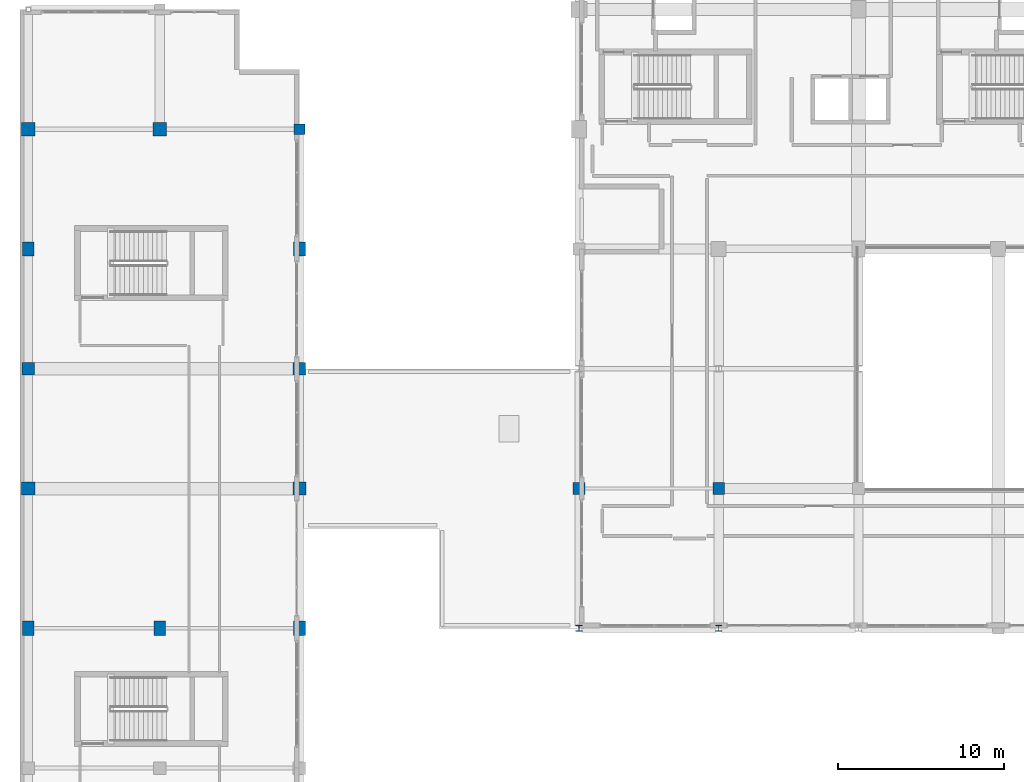
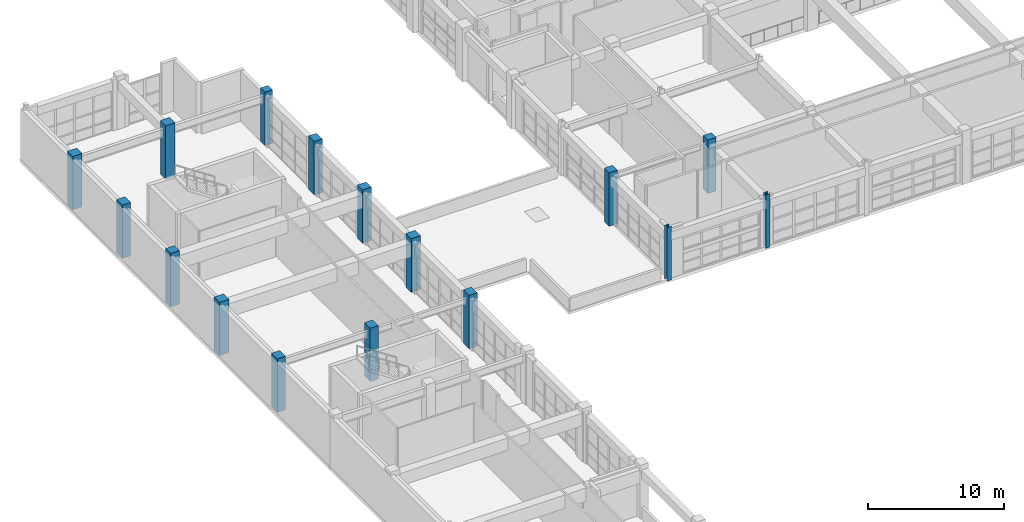
# One storey, part 6 of 123: 16 columns.
"""IFC4 building model written with IfcOpenShell, lengths in metres."""

from ifc_helpers import new_model, si_unit, direction, frame, origin, origin_2d, place, context, subcontext, project, spatial, rectangle, i_section, extrude, material, material_profile, profile_set, type_object, element, save


model = new_model("IFC4")

# Units and contexts
model_context = context("Model", 3, precision=1e-05, world=origin(), true_north=direction((0.0, 1.0)))
body_context = subcontext(model_context, "Body", "Model", "MODEL_VIEW")
ifc_project = project(units=[si_unit("LENGTHUNIT", "METRE"), si_unit("AREAUNIT", "SQUARE_METRE"), si_unit("VOLUMEUNIT", "CUBIC_METRE"), si_unit("PLANEANGLEUNIT", "RADIAN"), si_unit("MASSUNIT", "GRAM", prefix="KILO")], contexts=[model_context])

# Site, building, storey
site_placement = place(None, origin())
site = spatial("IfcSite", under=ifc_project, at=site_placement, CompositionType="ELEMENT")
building_placement = place(site_placement, origin())
building = spatial("IfcBuilding", under=site, at=building_placement, Name="Quendrovan Civic Courthouse", CompositionType="ELEMENT")
storey_placement = place(building_placement, frame((0.0, 0.0, 5.39990234375)))
storey = spatial("IfcBuildingStorey", under=building, at=storey_placement, Name="L02", CompositionType="ELEMENT", Elevation=5.39990234375)

# Columns
ifc_material_1 = material(Name="Concrete C40/50", Category="concrete")
ifc_material_profile_1 = material_profile(ifc_material_1, rectangle(XDim=0.699951171875, YDim=0.85009765625, at=origin_2d()), Name="RC-COL-700x850")
ifc_profile_set_1 = profile_set([ifc_material_profile_1], Name="Concrete C40/50")
column_type_1 = type_object("IfcColumnType", Name="COL-RC-700x850", PredefinedType="COLUMN", material=ifc_profile_set_1)
for number, where, z_axis, x_axis, name in (
    (1, (0.5, 64.800048828125, 0.0), (0.0, 0.0, 1.0), (1.0, 0.0, 0.0), "L02 Column 1-J"),
    (2, (0.5, 87.60009765625, 0.0), (0.0, 0.0, 1.0), (1.0, 0.0, 0.0), "L02 Column 1-M"),
    (3, (8.39990234375, 64.800048828125, 0.0), (0.0, 0.0, 1.0), (1.0, 0.0, 0.0), "L02 Column 2-J"),
    (4, (16.800048828125, 64.800048828125, 0.0), (0.0, 0.0, 1.0), (1.0, 0.0, 0.0), "L02 Column 3-J"),
    (5, (16.800048828125, 87.60009765625, 0.0), (0.0, 0.0, 1.0), (1.0, 0.0, 0.0), "L02 Column 3-M"),
):
    element("IfcColumn", number, at=place(storey_placement, frame(where, z_axis=z_axis, x_axis=x_axis)), inside=storey, type_object=column_type_1, Name=name, PredefinedType="COLUMN", context=body_context, shape_type="SweptSolid", body=[
        extrude(rectangle(XDim=0.699951171875, YDim=0.85009765625, at=origin_2d()), origin(), (0.0, 0.0, 1.0), 4.800048828125),
    ])
ifc_material_2 = material(Name="Concrete C45/55", Category="concrete")
ifc_material_profile_2 = material_profile(ifc_material_2, rectangle(XDim=0.64990234375, YDim=0.64990234375, at=origin_2d()), Name="RC-COL-650x650")
ifc_profile_set_2 = profile_set([ifc_material_profile_2], Name="Concrete C45/55")
column_type_2 = type_object("IfcColumnType", Name="COL-RC650", PredefinedType="COLUMN", material=ifc_profile_set_2)
column_placement = place(storey_placement, frame((16.800048828125, 94.800048828125, 0.0), z_axis=(0.0, 0.0, 1.0), x_axis=(1.0, 0.0, 0.0)))
element("IfcColumn", 6, at=column_placement, inside=storey, type_object=column_type_2, Name="L02 Column 3-N", PredefinedType="COLUMN", context=body_context, shape_type="SweptSolid", body=[
    extrude(rectangle(XDim=0.64990234375, YDim=0.64990234375, at=origin_2d()), origin(), (0.0, 0.0, 1.0), 4.800048828125),
])
ifc_material_profile_3 = material_profile(ifc_material_2, rectangle(XDim=0.699951171875, YDim=0.699951171875, at=origin_2d()), Name="RC-COL-700x700")
ifc_profile_set_3 = profile_set([ifc_material_profile_3], Name="Concrete C45/55")
column_type_3 = type_object("IfcColumnType", Name="COL-RC700", PredefinedType="COLUMN", material=ifc_profile_set_3)
for number, where, z_axis, x_axis, name in (
    (7, (33.60009765625, 73.199951171875, 0.0), (0.0, 0.0, 1.0), (1.0, 0.0, 0.0), "L02 Column 5-K"),
    (8, (42.0, 73.199951171875, 0.0), (0.0, 0.0, 1.0), (1.0, 0.0, 0.0), "L02 Column 6-K"),
):
    element("IfcColumn", number, at=place(storey_placement, frame(where, z_axis=z_axis, x_axis=x_axis)), inside=storey, type_object=column_type_3, Name=name, PredefinedType="COLUMN", context=body_context, shape_type="SweptSolid", body=[
        extrude(rectangle(XDim=0.699951171875, YDim=0.699951171875, at=origin_2d()), origin(), (0.0, 0.0, 1.0), 4.800048828125),
    ])
ifc_material_profile_4 = material_profile(ifc_material_2, rectangle(XDim=0.75, YDim=0.75, at=origin_2d()), Name="RC-COL-750x750")
ifc_profile_set_4 = profile_set([ifc_material_profile_4], Name="Concrete C45/55")
column_type_4 = type_object("IfcColumnType", Name="COL-RC750", PredefinedType="COLUMN", material=ifc_profile_set_4)
for number, where, z_axis, x_axis, name in (
    (9, (0.5, 80.39990234375, 0.0), (0.0, 0.0, 1.0), (1.0, 0.0, 0.0), "L02 Column 1-L"),
    (10, (16.800048828125, 80.39990234375, 0.0), (0.0, 0.0, 1.0), (1.0, 0.0, 0.0), "L02 Column 3-L"),
):
    element("IfcColumn", number, at=place(storey_placement, frame(where, z_axis=z_axis, x_axis=x_axis)), inside=storey, type_object=column_type_4, Name=name, PredefinedType="COLUMN", context=body_context, shape_type="SweptSolid", body=[
        extrude(rectangle(XDim=0.75, YDim=0.75, at=origin_2d()), origin(), (0.0, 0.0, 1.0), 4.800048828125),
    ])
ifc_material_profile_5 = material_profile(ifc_material_2, rectangle(XDim=0.800048828125, YDim=0.800048828125, at=origin_2d()), Name="RC-COL-800x800")
ifc_profile_set_5 = profile_set([ifc_material_profile_5], Name="Concrete C45/55")
column_type_5 = type_object("IfcColumnType", Name="COL-RC800", PredefinedType="COLUMN", material=ifc_profile_set_5)
for number, where, z_axis, x_axis, name in (
    (11, (0.5, 73.199951171875, 0.0), (0.0, 0.0, 1.0), (1.0, 0.0, 0.0), "L02 Column 1-K"),
    (12, (0.5, 94.800048828125, 0.0), (0.0, 0.0, 1.0), (1.0, 0.0, 0.0), "L02 Column 1-N"),
    (13, (8.39990234375, 94.800048828125, 0.0), (0.0, 0.0, 1.0), (1.0, 0.0, 0.0), "L02 Column 2-N"),
    (14, (16.800048828125, 73.199951171875, 0.0), (0.0, 0.0, 1.0), (1.0, 0.0, 0.0), "L02 Column 3-K"),
):
    element("IfcColumn", number, at=place(storey_placement, frame(where, z_axis=z_axis, x_axis=x_axis)), inside=storey, type_object=column_type_5, Name=name, PredefinedType="COLUMN", context=body_context, shape_type="SweptSolid", body=[
        extrude(rectangle(XDim=0.800048828125, YDim=0.800048828125, at=origin_2d()), origin(), (0.0, 0.0, 1.0), 4.800048828125),
    ])
ifc_material_3 = material(Name="Steel ASTM A992 Grade 50", Category="steel")
ifc_material_profile_6 = material_profile(ifc_material_3, i_section(OverallWidth=0.3740234375, OverallDepth=0.3720703125, WebThickness=0.016357421875, FlangeThickness=0.026123046875, at=origin_2d()), Name="W14X132")
ifc_profile_set_6 = profile_set([ifc_material_profile_6], Name="Steel ASTM A992 Grade 50")
column_type_6 = type_object("IfcColumnType", Name="COL-STL-W14X132", PredefinedType="COLUMN", material=ifc_profile_set_6)
for number, where, z_axis, x_axis, name in (
    (15, (33.60009765625, 64.800048828125, 0.0), (0.0, 0.0, 1.0), (1.0, 0.0, 0.0), "L02 Column 5-J"),
    (16, (42.0, 64.800048828125, 0.0), (0.0, 0.0, 1.0), (1.0, 0.0, 0.0), "L02 Column 6-J"),
):
    element("IfcColumn", number, at=place(storey_placement, frame(where, z_axis=z_axis, x_axis=x_axis)), inside=storey, type_object=column_type_6, Name=name, PredefinedType="COLUMN", context=body_context, shape_type="SweptSolid", body=[
        extrude(i_section(OverallWidth=0.3740234375, OverallDepth=0.3720703125, WebThickness=0.016357421875, FlangeThickness=0.026123046875, at=origin_2d()), origin(), (0.0, 0.0, 1.0), 4.800048828125),
    ])

save(model, "model.ifc")
